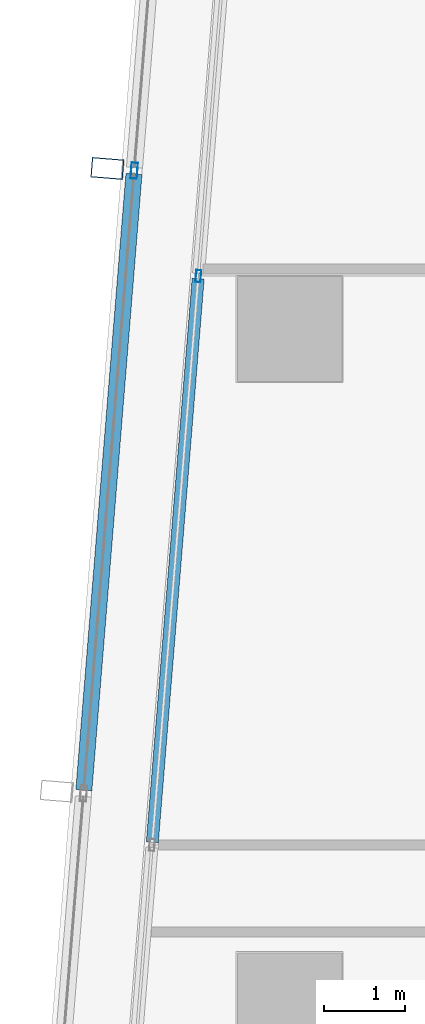
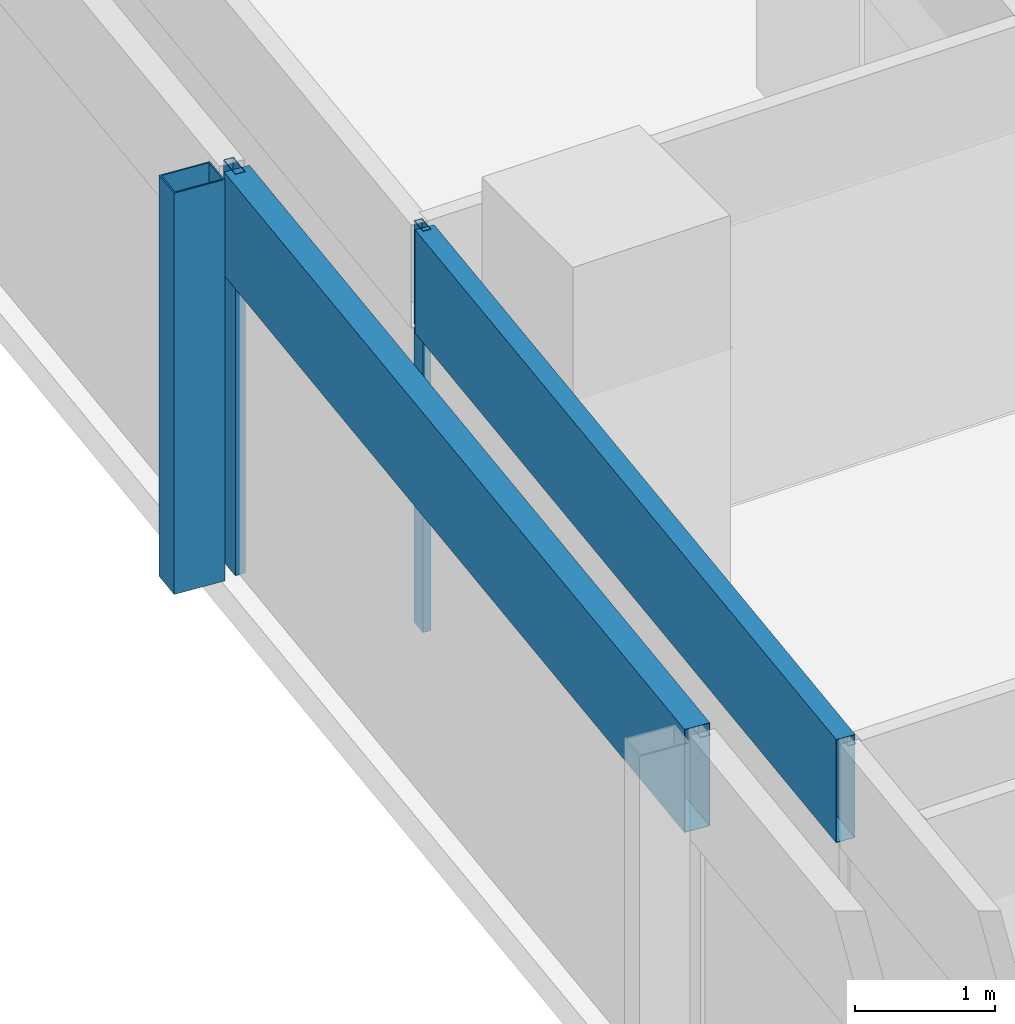
# One storey, part 8 of 29: 5 members, 2 elements without a shape of their own.
"""IFC4 building model written with IfcOpenShell, lengths in metres."""

from ifc_helpers import new_model, si_unit, direction, frame, origin, origin_2d, place, context, subcontext, project, spatial, hollow_rectangle, extrude, material, material_profile, profile_set, type_object, element, aggregate, save


model = new_model("IFC4")

# Units and contexts
model_context = context("Model", 3, precision=1e-05, world=origin(), true_north=direction((0.0, 1.0)))
body_context = subcontext(model_context, "Body", "Model", "MODEL_VIEW")
ifc_project = project(units=[si_unit("LENGTHUNIT", "METRE"), si_unit("AREAUNIT", "SQUARE_METRE"), si_unit("VOLUMEUNIT", "CUBIC_METRE"), si_unit("PLANEANGLEUNIT", "RADIAN"), si_unit("MASSUNIT", "GRAM", prefix="KILO")], contexts=[model_context])

# Site, building, storey
site_placement = place(None, origin())
site = spatial("IfcSite", under=ifc_project, at=site_placement, CompositionType="ELEMENT")
building_placement = place(site_placement, origin())
building = spatial("IfcBuilding", under=site, at=building_placement, Name="Rekha Terrace Tower", CompositionType="ELEMENT")
storey_placement = place(building_placement, frame((0.0, 0.0, 257.60009765625)))
storey = spatial("IfcBuildingStorey", under=building, at=storey_placement, Name="L65", CompositionType="ELEMENT", Elevation=257.60009765625)

# Curtain wall, member
ifc_material_1 = material(Name="Aluminium framing", Category="aluminium")
curtain_wall_type_1 = type_object("IfcCurtainWallType", Name="CW2 double skin outer glazing", PredefinedType="USERDEFINED", material=ifc_material_1)
curtain_wall_1_placement = place(storey_placement, origin())
curtain_wall_1 = element("IfcCurtainWall", 1, at=curtain_wall_1_placement, inside=storey, type_object=curtain_wall_type_1, Name="CW2 double skin outer glazing", ObjectType="DOUBLE SKIN OUTER GLAZING", PredefinedType="USERDEFINED")
ifc_material_2 = material(Name="Steel S355 with fluorocarbon finish", Category="steel")
ifc_material_profile_1 = material_profile(ifc_material_2, hollow_rectangle(XDim=0.25, YDim=0.39990234375, WallThickness=0.012451171875, at=origin_2d()), Name="RHS400x250x12.5")
ifc_profile_set_1 = profile_set([ifc_material_profile_1], Name="Steel S355 with fluorocarbon finish")
member_type_1 = type_object("IfcMemberType", Name="BL1 facade blade RHS 400 x 250", PredefinedType="USERDEFINED", material=ifc_profile_set_1)
member_1_placement = place(storey_placement, frame((6.135498046875, 43.9931640625, 0.0), z_axis=(0.0, 0.0, 1.0), x_axis=(-0.081068747348, -0.996708512156, 0.0)))
member_1 = element("IfcMember", 2, at=member_1_placement, type_object=member_type_1, Name="Facade blade", ObjectType="FACADE BLADE", PredefinedType="USERDEFINED", context=body_context, shape_type="SweptSolid", body=[
    extrude(hollow_rectangle(XDim=0.25, YDim=0.39990234375, WallThickness=0.012451171875, at=origin_2d()), origin(), (0.0, 0.0, 1.0), 3.5),
])

# Curtain wall, members
curtain_wall_type_2 = type_object("IfcCurtainWallType", Name="CW1 double skin inner glazing", PredefinedType="USERDEFINED", material=ifc_material_1)
curtain_wall_2_placement = place(storey_placement, origin())
curtain_wall_2 = element("IfcCurtainWall", 3, at=curtain_wall_2_placement, inside=storey, type_object=curtain_wall_type_2, Name="CW1 double skin inner glazing", ObjectType="DOUBLE SKIN INNER GLAZING", PredefinedType="USERDEFINED")
ifc_material_3 = material(Name="Aluminium mullion section", Category="aluminium")
ifc_material_profile_2 = material_profile(ifc_material_3, hollow_rectangle(XDim=0.06494140625, YDim=0.14990234375, WallThickness=0.00390625, at=origin_2d()), Name="AL RHS 65x150")
ifc_profile_set_2 = profile_set([ifc_material_profile_2], Name="Aluminium mullion section")
member_type_2 = type_object("IfcMemberType", Name="CW1 mullion RHS 65 x 150", PredefinedType="MULLION", material=ifc_profile_set_2)
member_2_placement = place(storey_placement, frame((7.265625, 42.65625, 0.0), z_axis=(0.0, 0.0, 1.0), x_axis=(0.996708580524, -0.081067906781, 0.0)))
member_2 = element("IfcMember", 4, at=member_2_placement, type_object=member_type_2, Name="CW1 mullion 2", PredefinedType="MULLION", context=body_context, shape_type="SweptSolid", body=[
    extrude(hollow_rectangle(XDim=0.06494140625, YDim=0.14990234375, WallThickness=0.00390625, at=origin_2d()), origin(), (0.0, 0.0, 1.0), 3.5),
])
ifc_material_4 = material(Name="Insulated aluminium spandrel box", Category="aluminium")
ifc_material_profile_3 = material_profile(ifc_material_4, hollow_rectangle(XDim=0.14990234375, YDim=0.89990234375, WallThickness=0.0029296875, at=origin_2d()), Name="AL SPANDREL BOX 150x900")
ifc_profile_set_3 = profile_set([ifc_material_profile_3], Name="Insulated aluminium spandrel box")
member_type_3 = type_object("IfcMemberType", Name="CW1 spandrel transom 150 x 900", PredefinedType="USERDEFINED", material=ifc_profile_set_3)
member_3_placement = place(storey_placement, frame((7.26318359375, 42.623779296875, 3.0498046875), z_axis=(-0.081080883426, -0.996707524976, 0.0), x_axis=(0.996707524976, -0.081080883426, 0.0)))
member_3 = element("IfcMember", 5, at=member_3_placement, type_object=member_type_3, Name="CW1 spandrel transom 2", ObjectType="TRANSOM", PredefinedType="USERDEFINED", context=body_context, shape_type="SweptSolid", body=[
    extrude(hollow_rectangle(XDim=0.14990234375, YDim=0.89990234375, WallThickness=0.0029296875, at=origin_2d()), origin(), (0.0, 0.0, 1.0), 7.02490234375),
])
aggregate(curtain_wall_2, [member_2, member_3])

# Member
ifc_material_profile_4 = material_profile(ifc_material_3, hollow_rectangle(XDim=0.080078125, YDim=0.199951171875, WallThickness=0.00390625, at=origin_2d()), Name="AL RHS 80x200")
ifc_profile_set_4 = profile_set([ifc_material_profile_4], Name="Aluminium mullion section")
member_type_4 = type_object("IfcMemberType", Name="CW2 mullion RHS 80 x 200", PredefinedType="MULLION", material=ifc_profile_set_4)
member_4_placement = place(storey_placement, frame((6.46923828125, 43.9658203125, 0.0), z_axis=(0.0, 0.0, 1.0), x_axis=(0.996708580521, -0.081067906816, 0.0)))
member_4 = element("IfcMember", 6, at=member_4_placement, type_object=member_type_4, Name="CW2 mullion 2", PredefinedType="MULLION", context=body_context, shape_type="SweptSolid", body=[
    extrude(hollow_rectangle(XDim=0.080078125, YDim=0.199951171875, WallThickness=0.00390625, at=origin_2d()), origin(), (0.0, 0.0, 1.0), 3.5),
])

ifc_material_profile_5 = material_profile(ifc_material_4, hollow_rectangle(XDim=0.199951171875, YDim=0.89990234375, WallThickness=0.0029296875, at=origin_2d()), Name="AL SPANDREL BOX 200x900")
ifc_profile_set_5 = profile_set([ifc_material_profile_5], Name="Insulated aluminium spandrel box")
member_type_5 = type_object("IfcMemberType", Name="CW2 spandrel transom 200 x 900", PredefinedType="USERDEFINED", material=ifc_profile_set_5)
member_5_placement = place(storey_placement, frame((6.466064453125, 43.926025390625, 3.0498046875), z_axis=(-0.081082991857, -0.996707353455, 0.0), x_axis=(0.996707353455, -0.081082991857, 0.0)))
member_5 = element("IfcMember", 7, at=member_5_placement, type_object=member_type_5, Name="CW2 spandrel transom 2", ObjectType="TRANSOM", PredefinedType="USERDEFINED", context=body_context, shape_type="SweptSolid", body=[
    extrude(hollow_rectangle(XDim=0.199951171875, YDim=0.89990234375, WallThickness=0.0029296875, at=origin_2d()), origin(), (0.0, 0.0, 1.0), 7.68115234375),
])

aggregate(curtain_wall_1, [member_4, member_5, member_1])

save(model, "model.ifc")
